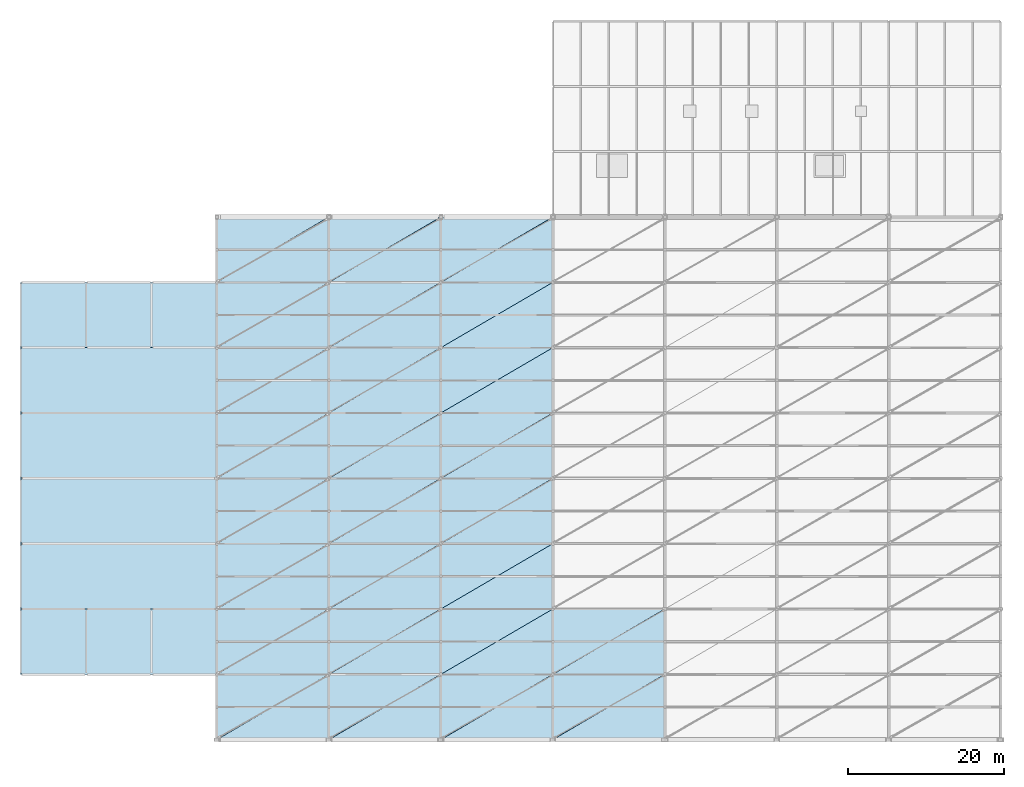
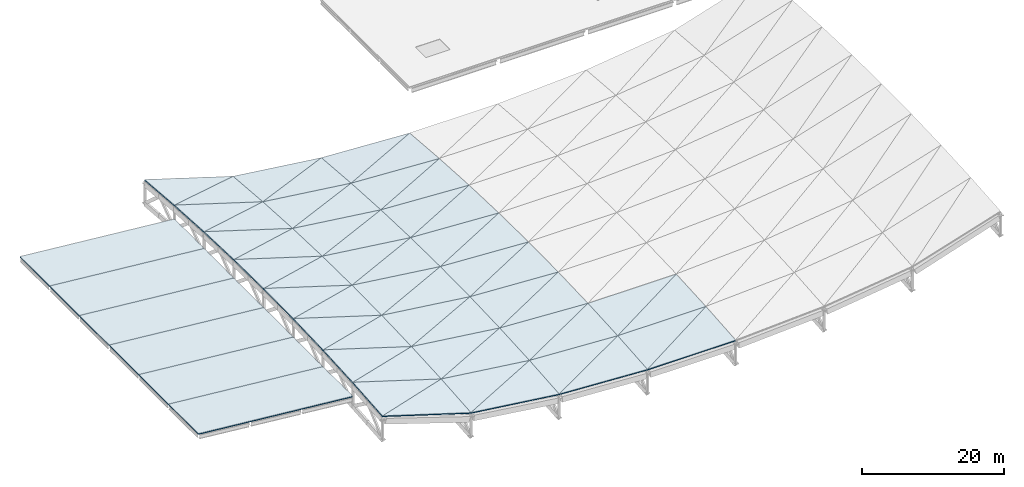
# One storey, part 12 of 22: 58 slabs.
"""IFC4 building model written with IfcOpenShell, lengths in metres."""

from ifc_helpers import new_model, si_unit, direction, frame, origin, place, context, subcontext, project, spatial, polyline, outline, extrude, material, layer, layer_set, type_object, element, save


model = new_model("IFC4")

# Units and contexts
model_context = context("Model", 3, precision=1e-05, world=origin(), true_north=direction((0.0, 1.0)))
body_context = subcontext(model_context, "Body", "Model", "MODEL_VIEW")
ifc_project = project(units=[si_unit("LENGTHUNIT", "METRE"), si_unit("AREAUNIT", "SQUARE_METRE"), si_unit("VOLUMEUNIT", "CUBIC_METRE"), si_unit("PLANEANGLEUNIT", "RADIAN"), si_unit("MASSUNIT", "GRAM", prefix="KILO"), si_unit("THERMODYNAMICTEMPERATUREUNIT", "KELVIN")], contexts=[model_context])

# Site, building, storey
site_placement = place(None, origin())
site = spatial("IfcSite", under=ifc_project, at=site_placement, CompositionType="ELEMENT")
building_placement = place(site_placement, origin())
building = spatial("IfcBuilding", under=site, at=building_placement, Name="Nduvali Passage Aquatics Centre", CompositionType="ELEMENT")
storey_placement = place(building_placement, frame((0.0, 0.0, 21.60009765625)))
storey = spatial("IfcBuildingStorey", under=building, at=storey_placement, Name="RF", CompositionType="ELEMENT", Elevation=21.60009765625)

# Slabs
ifc_material_1 = material(Name="Steel S355", Category="steel")
ifc_layer_1 = layer(ifc_material_1, 0.14990234375, Name="Steel S355")
ifc_layer_set_1 = layer_set([ifc_layer_1], Name="Steel S355")
slab_type_1 = type_object("IfcSlabType", Name="STR-SLB-ROOF150", PredefinedType="ROOF", material=ifc_layer_set_1)
for number, where, z_axis, x_axis, name in (
    (1, (0.0, 33.60009765625, -0.150146484375), (0.092845552, 0.0, 0.995680522795), (0.995680522795, 0.0, -0.092845552), "RF Diving Pavilion Planar Mono-Pitch Roof Deck 1"),
    (2, (0.0, 42.0, -0.150146484375), (0.092845552, 0.0, 0.995680522795), (0.995680522795, 0.0, -0.092845552), "RF Diving Pavilion Planar Mono-Pitch Roof Deck 2"),
):
    element("IfcSlab", number, at=place(storey_placement, frame(where, z_axis=z_axis, x_axis=x_axis)), inside=storey, type_object=slab_type_1, Name=name, PredefinedType="ROOF", context=body_context, shape_type="SweptSolid", body=[
        extrude(outline(polyline([(0.0, 0.0), (25.30927400400453, 0.0), (25.30927400400453, 8.39990234375), (0.0, 8.39990234375), (0.0, 0.0)])), origin(), (0.0, 0.0, -1.0), 0.14990234375),
    ])
slab_1_placement = place(storey_placement, frame((0.0, 50.39990234375, -0.150146484375), z_axis=(0.092845552, 0.0, 0.995680522795), x_axis=(0.995680522795, 0.0, -0.092845552)))
element("IfcSlab", 3, at=slab_1_placement, inside=storey, type_object=slab_type_1, Name="RF Diving Pavilion Planar Mono-Pitch Roof Deck 3", PredefinedType="ROOF", context=body_context, shape_type="SweptSolid", body=[
    extrude(outline(polyline([(0.0, 0.0), (25.30927400400453, 0.0), (25.30927400400453, 8.400146484375), (0.0, 8.400146484375), (0.0, 0.0)])), origin(), (0.0, 0.0, -1.0), 0.14990234375),
])
slab_2_placement = place(storey_placement, frame((0.0, 58.800048828125, -0.150146484375), z_axis=(0.092845552, 0.0, 0.995680522795), x_axis=(0.995680522795, 0.0, -0.092845552)))
element("IfcSlab", 4, at=slab_2_placement, inside=storey, type_object=slab_type_1, Name="RF Diving Pavilion Planar Mono-Pitch Roof Deck 4", PredefinedType="ROOF", context=body_context, shape_type="SweptSolid", body=[
    extrude(outline(polyline([(0.0, 0.0), (25.30927400400453, 0.0), (25.30927400400453, 8.39990234375), (0.0, 8.39990234375), (0.0, 0.0)])), origin(), (0.0, 0.0, -1.0), 0.14990234375),
])
slab_3_placement = place(storey_placement, frame((0.0, 67.199951171875, -0.150146484375), z_axis=(0.092845552, 0.0, 0.995680522795), x_axis=(0.995680522795, 0.0, -0.092845552)))
element("IfcSlab", 5, at=slab_3_placement, inside=storey, type_object=slab_type_1, Name="RF Diving Pavilion Planar Mono-Pitch Roof Deck 5", PredefinedType="ROOF", context=body_context, shape_type="SweptSolid", body=[
    extrude(outline(polyline([(0.0, 0.0), (25.30927400400453, 0.0), (25.30927400400453, 8.400146484375), (0.0, 8.400146484375), (0.0, 0.0)])), origin(), (0.0, 0.0, -1.0), 0.14990234375),
])
slab_4_placement = place(storey_placement, frame((0.0, 75.60009765625, -0.150146484375), z_axis=(0.092845552, 0.0, 0.995680522795), x_axis=(0.995680522795, 0.0, -0.092845552)))
element("IfcSlab", 6, at=slab_4_placement, inside=storey, type_object=slab_type_1, Name="RF Diving Pavilion Planar Mono-Pitch Roof Deck 6", PredefinedType="ROOF", context=body_context, shape_type="SweptSolid", body=[
    extrude(outline(polyline([(0.0, 0.0), (25.30927400400453, 0.0), (25.30927400400453, 8.39990234375), (0.0, 8.39990234375), (0.0, 0.0)])), origin(), (0.0, 0.0, -1.0), 0.14990234375),
])
ifc_material_2 = material(Name="Glulam GL28h", Category="wood")
ifc_layer_2 = layer(ifc_material_2, 0.169921875, Name="Glulam GL28h")
ifc_layer_set_2 = layer_set([ifc_layer_2], Name="Glulam GL28h")
slab_type_2 = type_object("IfcSlabType", Name="STR-SLB-ROOF170", PredefinedType="ROOF", material=ifc_layer_set_2)
slab_5_placement = place(storey_placement, frame((25.199951171875, 25.199951171875, -0.800048828125), z_axis=(0.296053161718, -0.079315803986, 0.951872643096), x_axis=(0.954880958395, 0.0, -0.296988813417)))
element("IfcSlab", 7, at=slab_5_placement, inside=storey, type_object=slab_type_2, Name="Pool Hall Saddle Roof Deck Panel B1-P1-T1", PredefinedType="ROOF", context=body_context, shape_type="SweptSolid", body=[
    extrude(outline(polyline([(0.0, 0.0), (15.080567224399719, 5.551115123125783e-17), (14.872689556414944, 8.426694457325487), (0.0, 0.0)])), origin(), (0.0, 0.0, -1.0), 0.169921875),
])
slab_6_placement = place(storey_placement, frame((25.199951171875, 25.199951171875, -0.800048828125), z_axis=(0.296053161718, -0.079315803986, 0.951872643096), x_axis=(0.842407627039, 0.491408019659, -0.221060055462)))
element("IfcSlab", 8, at=slab_6_placement, inside=storey, type_object=slab_type_2, Name="Pool Hall Saddle Roof Deck Panel B1-P1-T2", PredefinedType="ROOF", context=body_context, shape_type="SweptSolid", body=[
    extrude(outline(polyline([(0.0, 0.0), (17.09403621496732, -1.1102230246251565e-15), (3.9731681038562074, 7.434132620586381), (0.0, 0.0)])), origin(), (0.0, 0.0, -1.0), 0.169921875),
])
slab_7_placement = place(storey_placement, frame((25.199951171875, 33.60009765625, -0.10009765625), z_axis=(0.29651023913, -0.056747221769, 0.953342242279), x_axis=(0.954880958395, 0.0, -0.296988813417)))
element("IfcSlab", 9, at=slab_7_placement, inside=storey, type_object=slab_type_2, Name="Pool Hall Saddle Roof Deck Panel B1-P2-T1", PredefinedType="ROOF", context=body_context, shape_type="SweptSolid", body=[
    extrude(outline(polyline([(0.0, 0.0), (15.080567224399719, -2.7755575615628914e-17), (14.932072817691376, 8.413459977661574), (0.0, 0.0)])), origin(), (0.0, 0.0, -1.0), 0.169921875),
])
slab_8_placement = place(storey_placement, frame((25.199951171875, 33.60009765625, -0.10009765625), z_axis=(0.29651023913, -0.056747221769, 0.953342242279), x_axis=(0.840186453869, 0.490098081342, -0.232143475895)))
element("IfcSlab", 10, at=slab_8_placement, inside=storey, type_object=slab_type_2, Name="Pool Hall Saddle Roof Deck Panel B1-P2-T2", PredefinedType="ROOF", context=body_context, shape_type="SweptSolid", body=[
    extrude(outline(polyline([(0.0, 0.0), (17.139227153770697, 1.4432899320127035e-15), (4.000704284185813, 7.402886235451281), (0.0, 0.0)])), origin(), (0.0, 0.0, -1.0), 0.169921875),
])
slab_9_placement = place(storey_placement, frame((25.199951171875, 42.0, 0.39990234375), z_axis=(0.296816203711, -0.034089014478, 0.954325982202), x_axis=(0.954880958395, 0.0, -0.296988813417)))
element("IfcSlab", 11, at=slab_9_placement, inside=storey, type_object=slab_type_2, Name="Pool Hall Saddle Roof Deck Panel B1-P3-T1", PredefinedType="ROOF", context=body_context, shape_type="SweptSolid", body=[
    extrude(outline(polyline([(0.0, 0.0), (15.080567224399719, 2.7755575615628914e-17), (14.991456078967808, 8.404787200611075), (0.0, 0.0)])), origin(), (0.0, 0.0, -1.0), 0.169921875),
])
slab_10_placement = place(storey_placement, frame((25.199951171875, 42.0, 0.39990234375), z_axis=(0.296816203711, -0.034089014478, 0.954325982202), x_axis=(0.837863510228, 0.488743060423, -0.243135680468)))
element("IfcSlab", 12, at=slab_10_placement, inside=storey, type_object=slab_type_2, Name="Pool Hall Saddle Roof Deck Panel B1-P3-T2", PredefinedType="ROOF", context=body_context, shape_type="SweptSolid", body=[
    extrude(outline(polyline([(0.0, 0.0), (17.18674498720385, 1.2212453270876722e-15), (4.0324414027360325, 7.374808812253794), (0.0, 0.0)])), origin(), (0.0, 0.0, -1.0), 0.169921875),
])
slab_11_placement = place(storey_placement, frame((25.199951171875, 50.39990234375, 0.699951171875), z_axis=(0.296969589561, -0.011377796709, 0.954819149692), x_axis=(0.954880958395, 0.0, -0.296988813417)))
element("IfcSlab", 13, at=slab_11_placement, inside=storey, type_object=slab_type_2, Name="Pool Hall Saddle Roof Deck Panel B1-P4-T1", PredefinedType="ROOF", context=body_context, shape_type="SweptSolid", body=[
    extrude(outline(polyline([(0.0, 0.0), (15.080567224399719, 0.0), (15.05083934024424, 8.40069025453552), (0.0, 0.0)])), origin(), (0.0, 0.0, -1.0), 0.169921875),
])
slab_12_placement = place(storey_placement, frame((25.199951171875, 50.39990234375, 0.699951171875), z_axis=(0.296954922701, -0.011350104128, 0.954824040868), x_axis=(0.835441511331, 0.487344422636, -0.254033255442)))
element("IfcSlab", 14, at=slab_12_placement, inside=storey, type_object=slab_type_2, Name="Pool Hall Saddle Roof Deck Panel B1-P4-T2", PredefinedType="ROOF", context=body_context, shape_type="SweptSolid", body=[
    extrude(outline(polyline([(0.0, 0.0), (17.23657047090551, -1.1102230246251565e-16), (4.068398424847367, 7.349868430131237), (0.0, 0.0)])), origin(), (0.0, 0.0, -1.0), 0.169921875),
])
slab_13_placement = place(storey_placement, frame((25.199951171875, 58.800048828125, 0.7998046875), z_axis=(0.296954827936, 0.011378182056, 0.954823736162), x_axis=(0.95488554935, 0.0, -0.296974052138)))
element("IfcSlab", 15, at=slab_13_placement, inside=storey, type_object=slab_type_2, Name="Pool Hall Saddle Roof Deck Panel B1-P5-T1", PredefinedType="ROOF", context=body_context, shape_type="SweptSolid", body=[
    extrude(outline(polyline([(0.0, 0.0), (15.0804947191671, -6.938893903907228e-18), (15.1102211257532, 8.400446134942772), (0.0, 0.0)])), origin(), (0.0, 0.0, -1.0), 0.169921875),
])
slab_14_placement = place(storey_placement, frame((25.199951171875, 58.800048828125, 0.7998046875), z_axis=(0.296969682101, 0.011350379408, 0.954819447226), x_axis=(0.832940389622, 0.485871302669, -0.264838412203)))
element("IfcSlab", 16, at=slab_14_placement, inside=storey, type_object=slab_type_2, Name="Pool Hall Saddle Roof Deck Panel B1-P5-T2", PredefinedType="ROOF", context=body_context, shape_type="SweptSolid", body=[
    extrude(outline(polyline([(0.0, 0.0), (17.288327788864756, 1.3322676295501878e-15), (4.107716540583948, 7.327686874541821), (0.0, 0.0)])), origin(), (0.0, 0.0, -1.0), 0.169921875),
])
slab_15_placement = place(storey_placement, frame((25.199951171875, 67.199951171875, 0.699951171875), z_axis=(0.296816213736, 0.034088024871, 0.954326014433), x_axis=(0.954880958395, 0.0, -0.296988813417)))
element("IfcSlab", 17, at=slab_15_placement, inside=storey, type_object=slab_type_2, Name="Pool Hall Saddle Roof Deck Panel B1-P6-T1", PredefinedType="ROOF", context=body_context, shape_type="SweptSolid", body=[
    extrude(outline(polyline([(0.0, 0.0), (15.080567224399717, -2.7755575615628914e-17), (15.169678369831626, 8.40503119934582), (0.0, 0.0)])), origin(), (0.0, 0.0, -1.0), 0.169921875),
])
slab_16_placement = place(storey_placement, frame((25.199951171875, 67.199951171875, 0.699951171875), z_axis=(0.296816213736, 0.034088024871, 0.954326014433), x_axis=(0.830336648526, 0.484366564363, -0.27555413523)))
element("IfcSlab", 18, at=slab_16_placement, inside=storey, type_object=slab_type_2, Name="Pool Hall Saddle Roof Deck Panel B1-P6-T2", PredefinedType="ROOF", context=body_context, shape_type="SweptSolid", body=[
    extrude(outline(polyline([(0.0, 0.0), (17.342539932377672, 0.0), (4.1514297881438, 7.308770140887534), (0.0, 0.0)])), origin(), (0.0, 0.0, -1.0), 0.169921875),
])
slab_17_placement = place(storey_placement, frame((25.199951171875, 75.60009765625, 0.39990234375), z_axis=(0.29651023913, 0.056747221769, 0.953342242279), x_axis=(0.954880958395, 0.0, -0.296988813417)))
element("IfcSlab", 19, at=slab_17_placement, inside=storey, type_object=slab_type_2, Name="Pool Hall Saddle Roof Deck Panel B1-P7-T1", PredefinedType="ROOF", context=body_context, shape_type="SweptSolid", body=[
    extrude(outline(polyline([(0.0, 0.0), (15.080567224399719, 2.7755575615628914e-17), (15.22906163110806, 8.413459977661574), (0.0, 0.0)])), origin(), (0.0, 0.0, -1.0), 0.169921875),
])
slab_18_placement = place(storey_placement, frame((25.199951171875, 75.60009765625, 0.39990234375), z_axis=(0.29651023913, 0.056747221769, 0.953342242279), x_axis=(0.827662114409, 0.482792375911, -0.286158952565)))
element("IfcSlab", 20, at=slab_18_placement, inside=storey, type_object=slab_type_2, Name="Pool Hall Saddle Roof Deck Panel B1-P7-T2", PredefinedType="ROOF", context=body_context, shape_type="SweptSolid", body=[
    extrude(outline(polyline([(0.0, 0.0), (17.39858117663049, 4.996003610813204e-16), (4.198488286244046, 7.292534229937375), (0.0, 0.0)])), origin(), (0.0, 0.0, -1.0), 0.169921875),
])
slab_19_placement = place(storey_placement, frame((25.199951171875, 84.0, -0.10009765625), z_axis=(0.296053107585, 0.079318094773, 0.951872469048), x_axis=(0.954880958395, 0.0, -0.296988813417)))
element("IfcSlab", 21, at=slab_19_placement, inside=storey, type_object=slab_type_2, Name="Pool Hall Saddle Roof Deck Panel B1-P8-T1", PredefinedType="ROOF", context=body_context, shape_type="SweptSolid", body=[
    extrude(outline(polyline([(0.0, 0.0), (15.080567224399719, -5.551115123125783e-17), (15.288444892384492, 8.426451085878274), (0.0, 0.0)])), origin(), (0.0, 0.0, -1.0), 0.169921875),
])
slab_20_placement = place(storey_placement, frame((25.199951171875, 84.0, -0.10009765625), z_axis=(0.296053107585, 0.079318094773, 0.951872469048), x_axis=(0.824899461949, 0.481180863771, -0.296657806264)))
element("IfcSlab", 22, at=slab_20_placement, inside=storey, type_object=slab_type_2, Name="Pool Hall Saddle Roof Deck Panel B1-P8-T2", PredefinedType="ROOF", context=body_context, shape_type="SweptSolid", body=[
    extrude(outline(polyline([(0.0, 0.0), (17.456850378294952, 2.7755575615628914e-16), (4.249518244498318, 7.279415204343126), (0.0, 0.0)])), origin(), (0.0, 0.0, -1.0), 0.169921875),
])
slab_21_placement = place(storey_placement, frame((39.60009765625, 25.199951171875, -5.27880859375), z_axis=(0.126026402554, -0.082376215314, 0.988600781413), x_axis=(0.99197219333, 0.0, -0.126456188696)))
element("IfcSlab", 23, at=slab_21_placement, inside=storey, type_object=slab_type_2, Name="Pool Hall Saddle Roof Deck Panel B2-P1-T1", PredefinedType="ROOF", context=body_context, shape_type="SweptSolid", body=[
    extrude(outline(polyline([(0.0, 0.0), (14.516437497512612, 0.0), (14.427924340044202, 8.428793390688957), (0.0, 0.0)])), origin(), (0.0, 0.0, -1.0), 0.169921875),
])
slab_22_placement = place(storey_placement, frame((39.60009765625, 25.199951171875, -5.27880859375), z_axis=(0.126026402554, -0.082376215314, 0.988600781413), x_axis=(0.861776021056, 0.502714854641, -0.067969584788)))
element("IfcSlab", 24, at=slab_22_placement, inside=storey, type_object=slab_type_2, Name="Pool Hall Saddle Roof Deck Panel B2-P1-T2", PredefinedType="ROOF", context=body_context, shape_type="SweptSolid", body=[
    extrude(outline(polyline([(0.0, 0.0), (16.7095648891574, -7.494005416219807e-16), (4.1753030283356045, 7.3225157714776135), (0.0, 0.0)])), origin(), (0.0, 0.0, -1.0), 0.169921875),
])
slab_23_placement = place(storey_placement, frame((39.60009765625, 33.60009765625, -4.578857421875), z_axis=(0.126236318275, -0.058943985451, 0.99024744308), x_axis=(0.99197219333, 0.0, -0.126456188696)))
element("IfcSlab", 25, at=slab_23_placement, inside=storey, type_object=slab_type_2, Name="Pool Hall Saddle Roof Deck Panel B2-P2-T1", PredefinedType="ROOF", context=body_context, shape_type="SweptSolid", body=[
    extrude(outline(polyline([(0.0, 0.0), (14.516437497512612, 0.0), (14.453209403164756, 8.41453276139691), (0.0, 0.0)])), origin(), (0.0, 0.0, -1.0), 0.169921875),
])
slab_24_placement = place(storey_placement, frame((39.60009765625, 33.60009765625, -4.578857421875), z_axis=(0.126236318275, -0.058943985451, 0.99024744308), x_axis=(0.861020726336, 0.502259657359, -0.079865796239)))
element("IfcSlab", 26, at=slab_24_placement, inside=storey, type_object=slab_type_2, Name="Pool Hall Saddle Roof Deck Panel B2-P2-T2", PredefinedType="ROOF", context=body_context, shape_type="SweptSolid", body=[
    extrude(outline(polyline([(0.0, 0.0), (16.724222661886323, -4.996003610813204e-16), (4.178999174898951, 7.303719961822923), (0.0, 0.0)])), origin(), (0.0, 0.0, -1.0), 0.169921875),
])
slab_25_placement = place(storey_placement, frame((39.60009765625, 42.0, -4.078857421875), z_axis=(0.126376877269, -0.035411532963, 0.991350043236), x_axis=(0.99197219333, 0.0, -0.126456188696)))
element("IfcSlab", 27, at=slab_25_placement, inside=storey, type_object=slab_type_2, Name="Pool Hall Saddle Roof Deck Panel B2-P3-T1", PredefinedType="ROOF", context=body_context, shape_type="SweptSolid", body=[
    extrude(outline(polyline([(0.0, 0.0), (14.516437497512612, 0.0), (14.47849446628531, 8.405173942886444), (0.0, 0.0)])), origin(), (0.0, 0.0, -1.0), 0.169921875),
])
slab_26_placement = place(storey_placement, frame((39.60009765625, 42.0, -4.078857421875), z_axis=(0.126376877269, -0.035411532963, 0.991350043236), x_axis=(0.860138394359, 0.501744966199, -0.091727484665)))
element("IfcSlab", 28, at=slab_26_placement, inside=storey, type_object=slab_type_2, Name="Pool Hall Saddle Roof Deck Panel B2-P3-T2", PredefinedType="ROOF", context=body_context, shape_type="SweptSolid", body=[
    extrude(outline(polyline([(0.0, 0.0), (16.74137840861473, 8.326672684688674e-17), (4.187085993256565, 7.2881204414355425), (0.0, 0.0)])), origin(), (0.0, 0.0, -1.0), 0.169921875),
])
slab_27_placement = place(storey_placement, frame((39.60009765625, 50.39990234375, -3.77880859375), z_axis=(0.126447355097, -0.011819693337, 0.991902899098), x_axis=(0.99197219333, 0.0, -0.126456188696)))
element("IfcSlab", 29, at=slab_27_placement, inside=storey, type_object=slab_type_2, Name="Pool Hall Saddle Roof Deck Panel B2-P4-T1", PredefinedType="ROOF", context=body_context, shape_type="SweptSolid", body=[
    extrude(outline(polyline([(0.0, 0.0), (14.516437497512612, 0.0), (14.503779529405865, 8.400733317728152), (0.0, 0.0)])), origin(), (0.0, 0.0, -1.0), 0.169921875),
])
slab_28_placement = place(storey_placement, frame((39.60009765625, 50.39990234375, -3.77880859375), z_axis=(0.126447355097, -0.011819693337, 0.991902899098), x_axis=(0.859130202872, 0.501171423319, -0.103549500055)))
element("IfcSlab", 30, at=slab_28_placement, inside=storey, type_object=slab_type_2, Name="Pool Hall Saddle Roof Deck Panel B2-P4-T2", PredefinedType="ROOF", context=body_context, shape_type="SweptSolid", body=[
    extrude(outline(polyline([(0.0, 0.0), (16.761024458940458, -2.0261570199409107e-15), (4.199548307402618, 7.275731888513774), (0.0, 0.0)])), origin(), (0.0, 0.0, -1.0), 0.169921875),
])
slab_29_placement = place(storey_placement, frame((39.60009765625, 58.800048828125, -3.6787109375), z_axis=(0.126447354583, 0.011820036824, 0.99190289507), x_axis=(0.99197219333, 0.0, -0.126456188696)))
element("IfcSlab", 31, at=slab_29_placement, inside=storey, type_object=slab_type_2, Name="Pool Hall Saddle Roof Deck Panel B2-P5-T1", PredefinedType="ROOF", context=body_context, shape_type="SweptSolid", body=[
    extrude(outline(polyline([(0.0, 0.0), (14.516437497512612, 3.469446951953614e-18), (14.529095465619362, 8.400489194158093), (0.0, 0.0)])), origin(), (0.0, 0.0, -1.0), 0.169921875),
])
slab_30_placement = place(storey_placement, frame((39.60009765625, 58.800048828125, -3.6787109375), z_axis=(0.126447354583, 0.011820036824, 0.99190289507), x_axis=(0.858014791245, 0.500506203716, -0.115343651958)))
element("IfcSlab", 32, at=slab_30_placement, inside=storey, type_object=slab_type_2, Name="Pool Hall Saddle Roof Deck Panel B2-P5-T2", PredefinedType="ROOF", context=body_context, shape_type="SweptSolid", body=[
    extrude(outline(polyline([(0.0, 0.0), (16.782813642242708, 5.551115123125783e-16), (4.215748862878747, 7.266074624614038), (0.0, 0.0)])), origin(), (0.0, 0.0, -1.0), 0.169921875),
])
slab_31_placement = place(storey_placement, frame((39.60009765625, 67.199951171875, -3.77880859375), z_axis=(0.126376881875, 0.035410505058, 0.991350079366), x_axis=(0.99197219333, 0.0, -0.126456188696)))
element("IfcSlab", 33, at=slab_31_placement, inside=storey, type_object=slab_type_2, Name="Pool Hall Saddle Roof Deck Panel B2-P6-T1", PredefinedType="ROOF", context=body_context, shape_type="SweptSolid", body=[
    extrude(outline(polyline([(0.0, 0.0), (14.516437497512612, -1.3877787807814457e-17), (14.554380528739916, 8.405417930394545), (0.0, 0.0)])), origin(), (0.0, 0.0, -1.0), 0.169921875),
])
slab_32_placement = place(storey_placement, frame((39.60009765625, 67.199951171875, -3.77880859375), z_axis=(0.126376881875, 0.035410505058, 0.991350079366), x_axis=(0.856771265539, 0.499795343213, -0.127073260163)))
element("IfcSlab", 34, at=slab_32_placement, inside=storey, type_object=slab_type_2, Name="Pool Hall Saddle Roof Deck Panel B2-P6-T2", PredefinedType="ROOF", context=body_context, shape_type="SweptSolid", body=[
    extrude(outline(polyline([(0.0, 0.0), (16.807172372530776, 2.7755575615628914e-16), (4.236482277998593, 7.259800835175902), (0.0, 0.0)])), origin(), (0.0, 0.0, -1.0), 0.169921875),
])
slab_33_placement = place(storey_placement, frame((39.60009765625, 75.60009765625, -4.078857421875), z_axis=(0.126236318275, 0.058943985451, 0.99024744308), x_axis=(0.99197219333, 0.0, -0.126456188696)))
element("IfcSlab", 35, at=slab_33_placement, inside=storey, type_object=slab_type_2, Name="Pool Hall Saddle Roof Deck Panel B2-P7-T1", PredefinedType="ROOF", context=body_context, shape_type="SweptSolid", body=[
    extrude(outline(polyline([(0.0, 0.0), (14.516437497512612, 0.0), (14.57966559186047, 8.41453276139691), (0.0, 0.0)])), origin(), (0.0, 0.0, -1.0), 0.169921875),
])
slab_34_placement = place(storey_placement, frame((39.60009765625, 75.60009765625, -4.078857421875), z_axis=(0.126236318275, 0.058943985451, 0.99024744308), x_axis=(0.855424801143, 0.498995383475, -0.138751637322)))
element("IfcSlab", 36, at=slab_34_placement, inside=storey, type_object=slab_type_2, Name="Pool Hall Saddle Roof Deck Panel B2-P7-T2", PredefinedType="ROOF", context=body_context, shape_type="SweptSolid", body=[
    extrude(outline(polyline([(0.0, 0.0), (16.83362736795317, -5.93275428784068e-16), (4.260888309834647, 7.256251800733707), (0.0, 0.0)])), origin(), (0.0, 0.0, -1.0), 0.169921875),
])
slab_35_placement = place(storey_placement, frame((39.60009765625, 84.0, -4.578857421875), z_axis=(0.126026377698, 0.082378593306, 0.98860058643), x_axis=(0.99197219333, 0.0, -0.126456188696)))
element("IfcSlab", 37, at=slab_35_placement, inside=storey, type_object=slab_type_2, Name="Pool Hall Saddle Roof Deck Panel B2-P8-T1", PredefinedType="ROOF", context=body_context, shape_type="SweptSolid", body=[
    extrude(outline(polyline([(0.0, 0.0), (14.516437497512612, 0.0), (14.604950654981025, 8.428550079847714), (0.0, 0.0)])), origin(), (0.0, 0.0, -1.0), 0.169921875),
])
slab_36_placement = place(storey_placement, frame((39.60009765625, 84.0, -4.578857421875), z_axis=(0.126026377698, 0.082378593306, 0.98860058643), x_axis=(0.853958406745, 0.498139990886, -0.150371503382)))
element("IfcSlab", 38, at=slab_36_placement, inside=storey, type_object=slab_type_2, Name="Pool Hall Saddle Roof Deck Panel B2-P8-T2", PredefinedType="ROOF", context=body_context, shape_type="SweptSolid", body=[
    extrude(outline(polyline([(0.0, 0.0), (16.862533619919976, 1.1449174941446927e-16), (4.289579986971548, 7.255879999208856), (0.0, 0.0)])), origin(), (0.0, 0.0, -1.0), 0.169921875),
])
slab_37_placement = place(storey_placement, frame((54.0, 25.199951171875, -7.114501953125), z_axis=(0.054660457866, -0.082914146649, 0.99505652032), x_axis=(0.99849464295, 0.0, -0.054849320863)))
element("IfcSlab", 39, at=slab_37_placement, inside=storey, type_object=slab_type_2, Name="Pool Hall Saddle Roof Deck Panel B3-P1-T1", PredefinedType="ROOF", context=body_context, shape_type="SweptSolid", body=[
    extrude(outline(polyline([(0.0, 0.0), (14.421612019068148, -1.3877787807814457e-17), (14.383220172653328, 8.429170698716199), (0.0, 0.0)])), origin(), (0.0, 0.0, -1.0), 0.169921875),
])
slab_38_placement = place(storey_placement, frame((54.0, 25.199951171875, -7.114501953125), z_axis=(0.054660457866, -0.082914146649, 0.99505652032), x_axis=(0.863760702691, 0.503872613636, -0.005462390935)))
element("IfcSlab", 40, at=slab_38_placement, inside=storey, type_object=slab_type_2, Name="Pool Hall Saddle Roof Deck Panel B3-P1-T2", PredefinedType="ROOF", context=body_context, shape_type="SweptSolid", body=[
    extrude(outline(polyline([(0.0, 0.0), (16.671170960766897, 3.174543961037557e-16), (4.2287803570717895, 7.291763112828795), (0.0, 0.0)])), origin(), (0.0, 0.0, -1.0), 0.169921875),
])
slab_39_placement = place(storey_placement, frame((54.0, 33.60009765625, -6.41455078125), z_axis=(0.054752698975, -0.059330196132, 0.996735707087), x_axis=(0.99849464295, 0.0, -0.054849320863)))
element("IfcSlab", 41, at=slab_39_placement, inside=storey, type_object=slab_type_2, Name="Pool Hall Saddle Roof Deck Panel B3-P2-T1", PredefinedType="ROOF", context=body_context, shape_type="SweptSolid", body=[
    extrude(outline(polyline([(0.0, 0.0), (14.421612019068148, 0.0), (14.394187358636495, 8.41472562075181), (0.0, 0.0)])), origin(), (0.0, 0.0, -1.0), 0.169921875),
])
slab_40_placement = place(storey_placement, frame((54.0, 33.60009765625, -6.41455078125), z_axis=(0.054752698975, -0.059330196132, 0.996735707087), x_axis=(0.86364838207, 0.503792449112, -0.017453949873)))
element("IfcSlab", 42, at=slab_40_placement, inside=storey, type_object=slab_type_2, Name="Pool Hall Saddle Roof Deck Panel B3-P2-T2", PredefinedType="ROOF", context=body_context, shape_type="SweptSolid", body=[
    extrude(outline(polyline([(0.0, 0.0), (16.67333910733143, -1.033895191682177e-15), (4.223080399119065, 7.278320639207447), (0.0, 0.0)])), origin(), (0.0, 0.0, -1.0), 0.169921875),
])
slab_41_placement = place(storey_placement, frame((54.0, 42.0, -5.91455078125), z_axis=(0.054814466752, -0.035644077233, 0.997860147512), x_axis=(0.99849464295, 0.0, -0.054849320863)))
element("IfcSlab", 43, at=slab_41_placement, inside=storey, type_object=slab_type_2, Name="Pool Hall Saddle Roof Deck Panel B3-P3-T1", PredefinedType="ROOF", context=body_context, shape_type="SweptSolid", body=[
    extrude(outline(polyline([(0.0, 0.0), (14.421612019068148, -3.469446951953614e-18), (14.405154544619661, 8.405243472697903), (0.0, 0.0)])), origin(), (0.0, 0.0, -1.0), 0.169921875),
])
slab_42_placement = place(storey_placement, frame((54.0, 42.0, -5.91455078125), z_axis=(0.054814466752, -0.035644077233, 0.997860147512), x_axis=(0.863405609511, 0.503650832472, -0.029437941757)))
element("IfcSlab", 44, at=slab_42_placement, inside=storey, type_object=slab_type_2, Name="Pool Hall Saddle Roof Deck Panel B3-P3-T2", PredefinedType="ROOF", context=body_context, shape_type="SweptSolid", body=[
    extrude(outline(polyline([(0.0, 0.0), (16.678027320091164, -3.469446951953614e-17), (4.221784988184158, 7.268075412193991), (0.0, 0.0)])), origin(), (0.0, 0.0, -1.0), 0.169921875),
])
slab_43_placement = place(storey_placement, frame((54.0, 50.39990234375, -5.614501953125), z_axis=(0.054845457729, -0.01186838567, 0.998424317206), x_axis=(0.99849464295, 0.0, -0.054849320863)))
element("IfcSlab", 45, at=slab_43_placement, inside=storey, type_object=slab_type_2, Name="Pool Hall Saddle Roof Deck Panel B3-P4-T1", PredefinedType="ROOF", context=body_context, shape_type="SweptSolid", body=[
    extrude(outline(polyline([(0.0, 0.0), (14.421612019068148, 0.0), (14.416135121550303, 8.400738163229105), (0.0, 0.0)])), origin(), (0.0, 0.0, -1.0), 0.169921875),
])
slab_44_placement = place(storey_placement, frame((54.0, 50.39990234375, -5.614501953125), z_axis=(0.054862315479, -0.011897388578, 0.99842304585), x_axis=(0.863032191851, 0.503447638687, -0.041423555239)))
element("IfcSlab", 46, at=slab_44_placement, inside=storey, type_object=slab_type_2, Name="Pool Hall Saddle Roof Deck Panel B3-P4-T2", PredefinedType="ROOF", context=body_context, shape_type="SweptSolid", body=[
    extrude(outline(polyline([(0.0, 0.0), (16.685243586173087, 2.463307335887066e-16), (4.22488751138986, 7.2610471707493005), (0.0, 0.0)])), origin(), (0.0, 0.0, -1.0), 0.169921875),
])
slab_45_placement = place(storey_placement, frame((54.0, 58.800048828125, -5.514404296875), z_axis=(0.054862334172, 0.011868719552, 0.998423386037), x_axis=(0.998493715673, 0.0, -0.054866198713)))
element("IfcSlab", 47, at=slab_45_placement, inside=storey, type_object=slab_type_2, Name="Pool Hall Saddle Roof Deck Panel B3-P5-T1", PredefinedType="ROOF", context=body_context, shape_type="SweptSolid", body=[
    extrude(outline(polyline([(0.0, 0.0), (14.421625412075912, 0.0), (14.427103994906396, 8.400494038700913), (0.0, 0.0)])), origin(), (0.0, 0.0, -1.0), 0.169921875),
])
slab_46_placement = place(storey_placement, frame((54.0, 58.800048828125, -5.514404296875), z_axis=(0.054845438591, 0.011897745371, 0.998423968823), x_axis=(0.862548570269, 0.503150895335, -0.053377340231)))
element("IfcSlab", 48, at=slab_46_placement, inside=storey, type_object=slab_type_2, Name="Pool Hall Saddle Roof Deck Panel B3-P5-T2", PredefinedType="ROOF", context=body_context, shape_type="SweptSolid", body=[
    extrude(outline(polyline([(0.0, 0.0), (16.694598820399776, -6.626643678231403e-16), (4.231761331641952, 7.25676063800808), (0.0, 0.0)])), origin(), (0.0, 0.0, -1.0), 0.169921875),
])
slab_47_placement = place(storey_placement, frame((54.0, 67.199951171875, -5.614501953125), z_axis=(0.054814468776, 0.035643042595, 0.997860184358), x_axis=(0.99849464295, 0.0, -0.054849320863)))
element("IfcSlab", 49, at=slab_47_placement, inside=storey, type_object=slab_type_2, Name="Pool Hall Saddle Roof Deck Panel B3-P6-T1", PredefinedType="ROOF", context=body_context, shape_type="SweptSolid", body=[
    extrude(outline(polyline([(0.0, 0.0), (14.421612019068148, 6.938893903907228e-18), (14.438069493516636, 8.405487458187753), (0.0, 0.0)])), origin(), (0.0, 0.0, -1.0), 0.169921875),
])
slab_48_placement = place(storey_placement, frame((54.0, 67.199951171875, -5.614501953125), z_axis=(0.054814468776, 0.035643042595, 0.997860184358), x_axis=(0.861929597235, 0.502804442916, -0.06530743905)))
element("IfcSlab", 50, at=slab_48_placement, inside=storey, type_object=slab_type_2, Name="Pool Hall Saddle Roof Deck Panel B3-P6-T2", PredefinedType="ROOF", context=body_context, shape_type="SweptSolid", body=[
    extrude(outline(polyline([(0.0, 0.0), (16.706587626124236, 3.2829641782861074e-16), (4.243226394040854, 7.255861081024907), (0.0, 0.0)])), origin(), (0.0, 0.0, -1.0), 0.169921875),
])
slab_49_placement = place(storey_placement, frame((54.0, 75.60009765625, -5.91455078125), z_axis=(0.054752698975, 0.059330196132, 0.996735707087), x_axis=(0.99849464295, 0.0, -0.054849320863)))
element("IfcSlab", 51, at=slab_49_placement, inside=storey, type_object=slab_type_2, Name="Pool Hall Saddle Roof Deck Panel B3-P7-T1", PredefinedType="ROOF", context=body_context, shape_type="SweptSolid", body=[
    extrude(outline(polyline([(0.0, 0.0), (14.421612019068148, 0.0), (14.449036679499802, 8.41472562075181), (0.0, 0.0)])), origin(), (0.0, 0.0, -1.0), 0.169921875),
])
slab_50_placement = place(storey_placement, frame((54.0, 75.60009765625, -5.91455078125), z_axis=(0.054752698975, 0.059330196132, 0.996735707087), x_axis=(0.861201415256, 0.502365058718, -0.077210557185)))
element("IfcSlab", 52, at=slab_50_placement, inside=storey, type_object=slab_type_2, Name="Pool Hall Saddle Roof Deck Panel B3-P7-T2", PredefinedType="ROOF", context=body_context, shape_type="SweptSolid", body=[
    extrude(outline(polyline([(0.0, 0.0), (16.72071374786578, 7.806255641895632e-16), (4.258422712734088, 7.257699041997209), (0.0, 0.0)])), origin(), (0.0, 0.0, -1.0), 0.169921875),
])
slab_51_placement = place(storey_placement, frame((54.0, 84.0, -6.41455078125), z_axis=(0.054660446944, 0.082916539956, 0.995056321492), x_axis=(0.99849464295, 0.0, -0.054849320863)))
element("IfcSlab", 53, at=slab_51_placement, inside=storey, type_object=slab_type_2, Name="Pool Hall Saddle Roof Deck Panel B3-P8-T1", PredefinedType="ROOF", context=body_context, shape_type="SweptSolid", body=[
    extrude(outline(polyline([(0.0, 0.0), (14.421612019068148, 1.3877787807814457e-17), (14.460003865482967, 8.428927398766392), (0.0, 0.0)])), origin(), (0.0, 0.0, -1.0), 0.169921875),
])
slab_52_placement = place(storey_placement, frame((54.0, 84.0, -6.41455078125), z_axis=(0.054660446944, 0.082916539956, 0.995056321492), x_axis=(0.860345962594, 0.501866047082, -0.089080275229)))
element("IfcSlab", 54, at=slab_52_placement, inside=storey, type_object=slab_type_2, Name="Pool Hall Saddle Roof Deck Panel B3-P8-T2", PredefinedType="ROOF", context=body_context, shape_type="SweptSolid", body=[
    extrude(outline(polyline([(0.0, 0.0), (16.73733936094555, -1.3877787807814457e-17), (4.277977628171308, 7.26272665329019), (0.0, 0.0)])), origin(), (0.0, 0.0, -1.0), 0.169921875),
])
slab_53_placement = place(storey_placement, frame((68.39990234375, 25.199951171875, -7.905517578125), z_axis=(0.0, -0.083038288919, 0.996546357463), x_axis=(1.0, 0.0, 0.0)))
element("IfcSlab", 55, at=slab_53_placement, inside=storey, type_object=slab_type_2, Name="Pool Hall Saddle Roof Deck Panel B4-P1-T1", PredefinedType="ROOF", context=body_context, shape_type="SweptSolid", body=[
    extrude(outline(polyline([(0.0, 0.0), (14.400146484375, 0.0), (14.400146484375, 8.429258128801541), (0.0, 0.0)])), origin(), (0.0, 0.0, -1.0), 0.169921875),
])
slab_54_placement = place(storey_placement, frame((68.39990234375, 25.199951171875, -7.905517578125), z_axis=(0.0, -0.083038288919, 0.996546357463), x_axis=(0.863016975351, 0.50343022686, 0.041948860999)))
element("IfcSlab", 56, at=slab_54_placement, inside=storey, type_object=slab_type_2, Name="Pool Hall Saddle Roof Deck Panel B4-P1-T2", PredefinedType="ROOF", context=body_context, shape_type="SweptSolid", body=[
    extrude(outline(polyline([(0.0, 0.0), (16.685820668262757, 3.122502256758253e-16), (4.25824980470466, 7.274592854771983), (0.0, 0.0)])), origin(), (0.0, 0.0, -1.0), 0.169921875),
])
slab_55_placement = place(storey_placement, frame((68.39990234375, 33.60009765625, -7.20556640625), z_axis=(0.0, -0.059419328339, 0.998233110761), x_axis=(1.0, 0.0, 0.0)))
element("IfcSlab", 57, at=slab_55_placement, inside=storey, type_object=slab_type_2, Name="Pool Hall Saddle Roof Deck Panel B4-P2-T1", PredefinedType="ROOF", context=body_context, shape_type="SweptSolid", body=[
    extrude(outline(polyline([(0.0, 0.0), (14.400146484375, 0.0), (14.400146484375, 8.414770310860346), (0.0, 0.0)])), origin(), (0.0, 0.0, -1.0), 0.169921875),
])
slab_56_placement = place(storey_placement, frame((68.39990234375, 33.60009765625, -7.20556640625), z_axis=(0.0, -0.059419328339, 0.998233110761), x_axis=(0.863395442994, 0.503636363217, 0.029978703478)))
element("IfcSlab", 58, at=slab_56_placement, inside=storey, type_object=slab_type_2, Name="Pool Hall Saddle Roof Deck Panel B4-P2-T2", PredefinedType="ROOF", context=body_context, shape_type="SweptSolid", body=[
    extrude(outline(polyline([(0.0, 0.0), (16.67850647258304, 6.938893903907228e-16), (4.245485619526848, 7.265274340238467), (0.0, 0.0)])), origin(), (0.0, 0.0, -1.0), 0.169921875),
])

save(model, "model.ifc")
